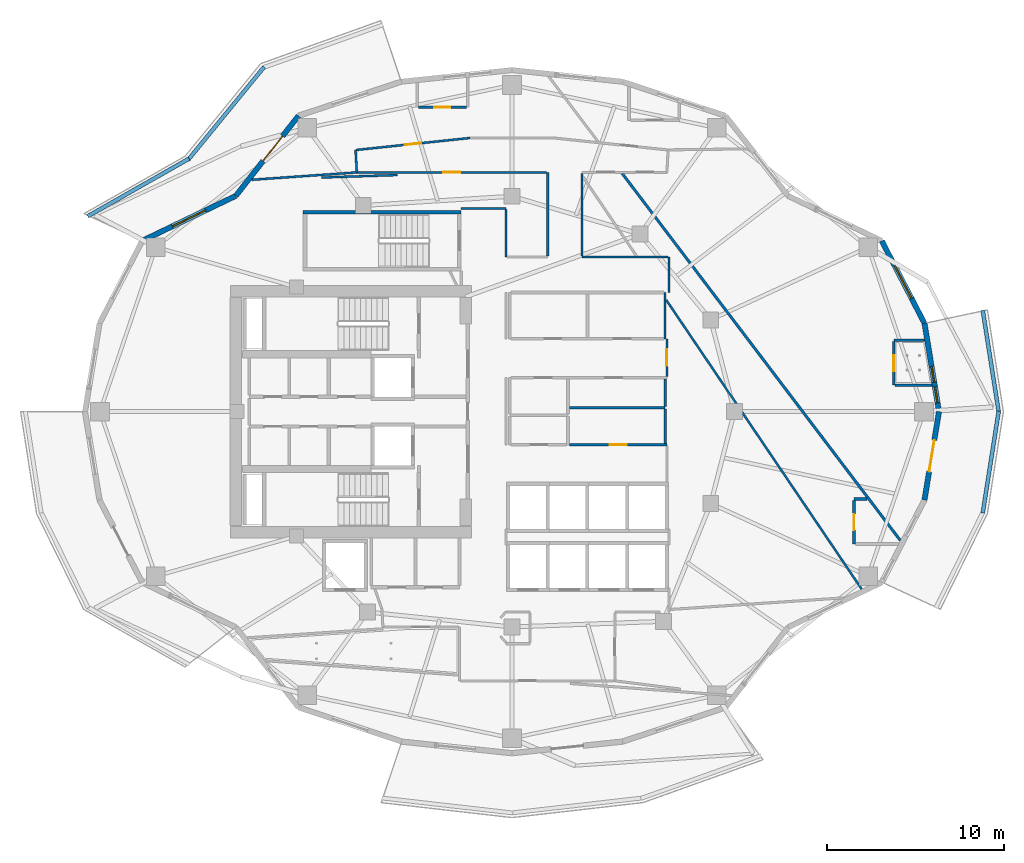
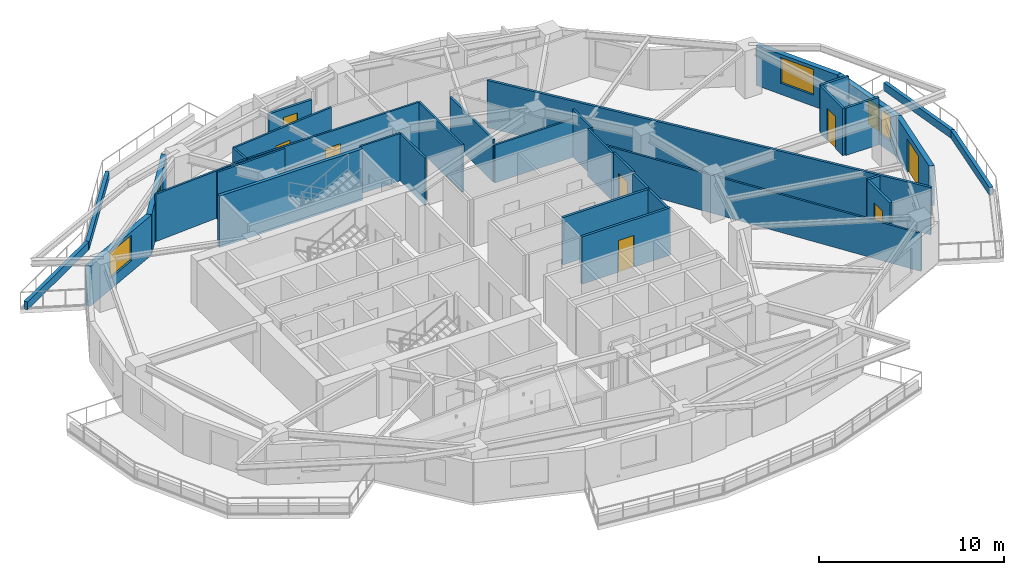
# One storey, part 6 of 17: 35 walls, 9 doors, 4 windows, 13 openings.
"""IFC4 building model written with IfcOpenShell, lengths in metres."""

from ifc_helpers import new_model, si_unit, direction, frame, frame_2d, origin, place, context, subcontext, project, spatial, rectangle, extrude, material, layer, layer_set, type_object, element, fill, save


model = new_model("IFC4")

# Units and contexts
model_context = context("Model", 3, precision=1e-05, world=origin(), true_north=direction((0.0, 1.0)))
body_context = subcontext(model_context, "Body", "Model", "MODEL_VIEW")
ifc_project = project(units=[si_unit("LENGTHUNIT", "METRE"), si_unit("AREAUNIT", "SQUARE_METRE"), si_unit("VOLUMEUNIT", "CUBIC_METRE"), si_unit("PLANEANGLEUNIT", "RADIAN"), si_unit("MASSUNIT", "GRAM", prefix="KILO")], contexts=[model_context])

# Site, building, storey
site_placement = place(None, origin())
site = spatial("IfcSite", under=ifc_project, at=site_placement, CompositionType="ELEMENT")
building_placement = place(site_placement, origin())
building = spatial("IfcBuilding", under=site, at=building_placement, Name="Kolvaren Gate Tower and Convention Centre", CompositionType="ELEMENT")
storey_placement = place(building_placement, frame((0.0, 0.0, 125.699951171875)))
storey = spatial("IfcBuildingStorey", under=building, at=storey_placement, Name="L31", CompositionType="ELEMENT", Elevation=125.699951171875)

# Walls
ifc_material_1 = material(Name="Fire-Rated Acoustic Gypsum Stud Partition", Category="gypsum")
ifc_layer_1 = layer(ifc_material_1, 0.1201171875)
ifc_layer_set_1 = layer_set([ifc_layer_1], Name="Fire-Rated Acoustic Gypsum Stud Partition")
wall_type_1 = type_object("IfcWallType", Name="ARCH-WL-PART-120", PredefinedType="PARTITIONING", material=ifc_layer_set_1)
wall_1_placement = place(storey_placement, frame((38.800048828125, 31.1201171875, 0.0), z_axis=(0.0, 0.0, 1.0), x_axis=(0.0, 1.0, 0.0)))
element("IfcWall", 1, at=wall_1_placement, inside=storey, type_object=wall_type_1, Name="Interior Partition WL-L31-INT-025", PredefinedType="PARTITIONING", context=body_context, shape_type="SweptSolid", body=[
    extrude(rectangle(XDim=2.6298828125, YDim=0.1201171875, at=frame_2d((1.31494140625, 0.0))), origin(), (0.0, 0.0, 1.0), 3.130126953125),
])
wall_2_placement = place(storey_placement, frame((39.02001953125, 33.75, 0.0), z_axis=(0.0, 0.0, 1.0), x_axis=(0.0, 1.0, 0.0)))
element("IfcWall", 2, at=wall_2_placement, inside=storey, type_object=wall_type_1, Name="Interior Partition WL-L31-INT-030", PredefinedType="PARTITIONING", context=body_context, shape_type="SweptSolid", body=[
    extrude(rectangle(XDim=2.0, YDim=0.1201171875, at=frame_2d((1.0, 0.0))), origin(), (0.0, 0.0, 1.0), 3.130126953125),
])
wall_3_placement = place(storey_placement, frame((21.263916015625, 41.81787109375, 0.0), z_axis=(0.0, 0.0, 1.0), x_axis=(0.0574492264, -0.99834842935, 0.0)))
element("IfcWall", 3, at=wall_3_placement, inside=storey, type_object=wall_type_1, Name="Interior Partition WL-L31-INT-036", PredefinedType="PARTITIONING", context=body_context, shape_type="SweptSolid", body=[
    extrude(rectangle(XDim=1.270751953125, YDim=0.1201171875, at=frame_2d((0.63525390625, 0.0))), origin(), (0.0, 0.0, 1.0), 3.130126953125),
])
wall_4_placement = place(storey_placement, frame((27.25, 38.5, 0.0), z_axis=(0.0, 0.0, 1.0), x_axis=(1.0, 0.0, 0.0)))
element("IfcWall", 4, at=wall_4_placement, inside=storey, type_object=wall_type_1, Name="Interior Partition WL-L31-INT-040", PredefinedType="PARTITIONING", context=body_context, shape_type="SweptSolid", body=[
    extrude(rectangle(XDim=2.530029296875, YDim=0.1201171875, at=frame_2d((1.26513671875, 0.0))), origin(), (0.0, 0.0, 1.0), 3.130126953125),
])
wall_5_placement = place(storey_placement, frame((29.780029296875, 35.75, 0.0), z_axis=(0.0, 0.0, 1.0), x_axis=(0.0, 1.0, 0.0)))
element("IfcWall", 5, at=wall_5_placement, inside=storey, type_object=wall_type_1, Name="Interior Partition WL-L31-INT-044", PredefinedType="PARTITIONING", context=body_context, shape_type="SweptSolid", body=[
    extrude(rectangle(XDim=2.68798828125, YDim=0.1201171875, at=frame_2d((1.343994140625, 0.0))), origin(), (0.0, 0.0, 1.0), 3.130126953125),
])
wall_6_placement = place(storey_placement, frame((34.080078125, 35.75, 0.0), z_axis=(0.0, 0.0, 1.0), x_axis=(1.0, 0.0, 0.0)))
element("IfcWall", 6, at=wall_6_placement, inside=storey, type_object=wall_type_1, Name="Interior Partition WL-L31-INT-046", PredefinedType="PARTITIONING", context=body_context, shape_type="SweptSolid", body=[
    extrude(rectangle(XDim=4.8779296875, YDim=0.1201171875, at=frame_2d((2.43896484375, 0.0))), origin(), (0.0, 0.0, 1.0), 2.505126953125),
])
wall_7_placement = place(storey_placement, frame((32.14990234375, 35.81201171875, 0.0), z_axis=(0.0, 0.0, 1.0), x_axis=(0.0, 1.0, 0.0)))
element("IfcWall", 7, at=wall_7_placement, inside=storey, type_object=wall_type_1, Name="Interior Partition WL-L31-INT-047", PredefinedType="PARTITIONING", context=body_context, shape_type="SweptSolid", body=[
    extrude(rectangle(XDim=4.738037109375, YDim=0.1201171875, at=frame_2d((2.369140625, 0.0))), origin(), (0.0, 0.0, 1.0), 3.130126953125),
])

# Wall, opening, door
wall_8_placement = place(storey_placement, frame((21.3505859375, 40.550048828125, 0.0), z_axis=(0.0, 0.0, 1.0), x_axis=(1.0, 0.0, 0.0)))
wall_8 = element("IfcWall", 8, at=wall_8_placement, inside=storey, type_object=wall_type_1, Name="Interior Partition WL-L31-INT-048", PredefinedType="PARTITIONING", context=body_context, shape_type="SweptSolid", body=[
    extrude(rectangle(XDim=10.7373046875, YDim=0.1201171875, at=frame_2d((5.36865234375, 0.0))), origin(), (0.0, 0.0, 1.0), 3.130126953125),
])
opening_1_placement = place(wall_8_placement, frame((4.893798828125, 0.0, 0.0)))
opening_1 = element("IfcOpeningElement", 9, at=opening_1_placement, cuts=wall_8, Name="Opening DR-01", PredefinedType="OPENING", context=body_context, shape_type="SweptSolid", body=[
    extrude(rectangle(XDim=0.949951171875, YDim=2.10009765625, at=frame_2d((0.47509765625, 1.050048828125))), frame((0.0, 0.070068359375, 0.0), z_axis=(0.0, -1.0, 0.0), x_axis=(1.0, 0.0, 0.0)), (0.0, 0.0, 1.0), 0.14013671875),
])
ifc_material_2 = material(Name="Painted Architectural Steelwork ASTM A500 Grade C 345 MPa", Category="steel")
door_type_1 = type_object("IfcDoorType", Name="ARCH-DR-RISER-950", OperationType="SINGLE_SWING_RIGHT", PredefinedType="DOOR", material=ifc_material_2)
door_1_placement = place(opening_1_placement, origin())
door_1 = element("IfcDoor", 10, at=door_1_placement, inside=storey, type_object=door_type_1, Name="Hotel Botanical Clubroom Door", OperationType="SINGLE_SWING_RIGHT", OverallHeight=2.10009765625, OverallWidth=0.949951171875, PredefinedType="DOOR", context=body_context, shape_type="SweptSolid", body=[
    extrude(rectangle(XDim=0.949951171875, YDim=2.10009765625, at=frame_2d((0.47509765625, 1.050048828125))), frame((0.0, 0.02490234375, 0.0), z_axis=(0.0, -1.0, 0.0), x_axis=(1.0, 0.0, 0.0)), (0.0, 0.0, 1.0), 0.050048828125),
])
fill(opening_1, door_1)

wall_9_placement = place(storey_placement, frame((21.282958984375, 41.819091796875, 0.0), z_axis=(0.0, 0.0, 1.0), x_axis=(0.994501131299, 0.104725831799, 0.0)))
wall_9 = element("IfcWall", 11, at=wall_9_placement, inside=storey, type_object=wall_type_1, Name="Interior Partition WL-L31-INT-050", PredefinedType="PARTITIONING", context=body_context, shape_type="SweptSolid", body=[
    extrude(rectangle(XDim=6.501708984375, YDim=0.1201171875, at=frame_2d((3.2509765625, 0.0))), origin(), (0.0, 0.0, 1.0), 3.130126953125),
])
opening_2_placement = place(wall_9_placement, frame((2.77587890625, 0.0, 0.0)))
opening_2 = element("IfcOpeningElement", 12, at=opening_2_placement, cuts=wall_9, Name="Opening DR-01", PredefinedType="OPENING", context=body_context, shape_type="SweptSolid", body=[
    extrude(rectangle(XDim=0.949951171875, YDim=2.10009765625, at=frame_2d((0.47509765625, 1.050048828125))), frame((0.0, 0.070068359375, 0.0), z_axis=(0.0, -1.0, 0.0), x_axis=(1.0, 0.0, 0.0)), (0.0, 0.0, 1.0), 0.14013671875),
])
door_2_placement = place(opening_2_placement, origin())
door_2 = element("IfcDoor", 13, at=door_2_placement, inside=storey, type_object=door_type_1, Name="Hotel Guest Room (HTL-L31-08) Door", OperationType="SINGLE_SWING_LEFT", OverallHeight=2.10009765625, OverallWidth=0.949951171875, PredefinedType="DOOR", context=body_context, shape_type="SweptSolid", body=[
    extrude(rectangle(XDim=0.949951171875, YDim=2.10009765625, at=frame_2d((0.47509765625, 1.050048828125))), frame((0.0, 0.02490234375, 0.0), z_axis=(0.0, -1.0, 0.0), x_axis=(1.0, 0.0, 0.0)), (0.0, 0.0, 1.0), 0.050048828125),
])
fill(opening_2, door_2)

# Wall
wall_10_placement = place(storey_placement, frame((34.080078125, 35.81201171875, 0.0), z_axis=(0.0, 0.0, 1.0), x_axis=(0.0, 1.0, 0.0)))
element("IfcWall", 14, at=wall_10_placement, inside=storey, type_object=wall_type_1, Name="Interior Partition WL-L31-INT-054", PredefinedType="PARTITIONING", context=body_context, shape_type="SweptSolid", body=[
    extrude(rectangle(XDim=4.676025390625, YDim=0.1201171875, at=frame_2d((2.337890625, 0.0))), origin(), (0.0, 0.0, 1.0), 2.81201171875),
])

# Wall, opening, door
wall_11_placement = place(storey_placement, frame((38.89990234375, 28.9970703125, 0.0), z_axis=(0.0, 0.0, 1.0), x_axis=(0.0, 1.0, 0.0)))
wall_11 = element("IfcWall", 15, at=wall_11_placement, inside=storey, type_object=wall_type_1, Name="Interior Partition WL-L31-INT-056", PredefinedType="PARTITIONING", context=body_context, shape_type="SweptSolid", body=[
    extrude(rectangle(XDim=2.123046875, YDim=0.1201171875, at=frame_2d((1.0615234375, 0.0))), origin(), (0.0, 0.0, 1.0), 3.130126953125),
])
opening_3_placement = place(wall_11_placement, frame((0.58642578125, 0.0, 0.0)))
opening_3 = element("IfcOpeningElement", 16, at=opening_3_placement, cuts=wall_11, Name="Opening DR-01", PredefinedType="OPENING", context=body_context, shape_type="SweptSolid", body=[
    extrude(rectangle(XDim=0.949951171875, YDim=2.10009765625, at=frame_2d((0.47509765625, 1.050048828125))), frame((0.0, 0.070068359375, 0.0), z_axis=(0.0, -1.0, 0.0), x_axis=(1.0, 0.0, 0.0)), (0.0, 0.0, 1.0), 0.14013671875),
])
door_3_placement = place(opening_3_placement, origin())
door_3 = element("IfcDoor", 17, at=door_3_placement, inside=storey, type_object=door_type_1, Name="Executive Seminar Conference Room Door", OperationType="SINGLE_SWING_LEFT", OverallHeight=2.10009765625, OverallWidth=0.949951171875, PredefinedType="DOOR", context=body_context, shape_type="SweptSolid", body=[
    extrude(rectangle(XDim=0.949951171875, YDim=2.10009765625, at=frame_2d((0.47509765625, 1.050048828125))), frame((0.0, 0.02490234375, 0.0), z_axis=(0.0, -1.0, 0.0), x_axis=(1.0, 0.0, 0.0)), (0.0, 0.0, 1.0), 0.050048828125),
])
fill(opening_3, door_3)

# Walls
wall_12_placement = place(storey_placement, frame((38.862060546875, 33.32421875, 0.0), z_axis=(0.0, 0.0, 1.0), x_axis=(0.55994174094, -0.828531982939, 0.0)))
element("IfcWall", 18, at=wall_12_placement, inside=storey, type_object=wall_type_1, Name="Interior Partition WL-L31-INT-067", PredefinedType="PARTITIONING", context=body_context, shape_type="SweptSolid", body=[
    extrude(rectangle(XDim=19.768310546875, YDim=0.1201171875, at=frame_2d((9.88427734375, 0.0))), origin(), (0.0, 0.0, 1.0), 2.505126953125),
])
wall_13_placement = place(storey_placement, frame((15.385009765625, 40.130859375, 0.0), z_axis=(0.0, 0.0, 1.0), x_axis=(0.997539949975, 0.070100272499, 0.0)))
element("IfcWall", 19, at=wall_13_placement, inside=storey, type_object=wall_type_1, Name="Interior Partition WL-L31-INT-082", PredefinedType="PARTITIONING", context=body_context, shape_type="SweptSolid", body=[
    extrude(rectangle(XDim=5.976318359375, YDim=0.1201171875, at=frame_2d((2.98828125, 0.0))), origin(), (0.0, 0.0, 1.0), 3.130126953125),
])
wall_14_placement = place(storey_placement, frame((19.33349609375, 40.2578125, 0.0), z_axis=(0.0, 0.0, 1.0), x_axis=(0.999452515211, 0.033085795111, 0.0)))
element("IfcWall", 20, at=wall_14_placement, inside=storey, type_object=wall_type_1, Name="Interior Partition WL-L31-INT-083", PredefinedType="PARTITIONING", context=body_context, shape_type="SweptSolid", body=[
    extrude(rectangle(XDim=4.294677734375, YDim=0.1201171875, at=frame_2d((2.1474609375, 0.0))), origin(), (0.0, 0.0, 1.0), 3.130126953125),
])
ifc_material_3 = material(Name="Piedmont Cream Honed Limestone Cladding", Category="masonry")
ifc_layer_2 = layer(ifc_material_3, 0.219970703125)
ifc_layer_set_2 = layer_set([ifc_layer_2], Name="Piedmont Cream Honed Limestone Cladding")
wall_type_2 = type_object("IfcWallType", Name="ARCH-WL-PLANTER-220", PredefinedType="PARAPET", material=ifc_layer_set_2)
wall_15_placement = place(storey_placement, frame((11.791015625, 41.274169921875, 0.0), z_axis=(0.0, 0.0, 1.0), x_axis=(0.633024046468, 0.774132131224, 0.0)))
element("IfcWall", 21, at=wall_15_placement, inside=storey, type_object=wall_type_2, Name="Vertical-Forest Balcony Stone Planter Kerb PK-L31-1.2", PredefinedType="PARAPET", context=body_context, shape_type="SweptSolid", body=[
    extrude(rectangle(XDim=6.780517578125, YDim=0.219970703125, at=frame_2d((3.39013671875, 0.0))), origin(), (0.0, 0.0, 1.0), 0.52001953125),
])
wall_16_placement = place(storey_placement, frame((6.095458984375, 38.065673828125, 0.0), z_axis=(0.0, 0.0, 1.0), x_axis=(0.869187658335, 0.494482370361, 0.0)))
element("IfcWall", 22, at=wall_16_placement, inside=storey, type_object=wall_type_2, Name="Vertical-Forest Balcony Stone Planter Kerb PK-L31-1.3", PredefinedType="PARAPET", context=body_context, shape_type="SweptSolid", body=[
    extrude(rectangle(XDim=6.606201171875, YDim=0.219970703125, at=frame_2d((3.30322265625, 0.0))), origin(), (0.0, 0.0, 1.0), 0.52001953125),
])
for number, where, z_axis, x_axis, name in (
    (23, (56.78857421875, 21.254150390625, 0.0), (0.0, 0.0, 1.0), (0.154903030247, 0.987929679289, 0.0), "Vertical-Forest Balcony Stone Planter Kerb PK-L31-4.2"),
    (24, (56.78857421875, 32.745849609375, 0.0), (0.0, 0.0, 1.0), (0.154903030247, -0.987929679289, 0.0), "Vertical-Forest Balcony Stone Planter Kerb PK-L31-4.3"),
):
    element("IfcWall", number, at=place(storey_placement, frame(where, z_axis=z_axis, x_axis=x_axis)), inside=storey, type_object=wall_type_2, Name=name, PredefinedType="PARAPET", context=body_context, shape_type="SweptSolid", body=[
        extrude(rectangle(XDim=5.845703125, YDim=0.219970703125, at=frame_2d((2.9228515625, 0.0))), origin(), (0.0, 0.0, 1.0), 0.52001953125),
    ])

# Wall, openings, windows
ifc_layer_3 = layer(ifc_material_3, 0.300048828125)
ifc_layer_set_3 = layer_set([ifc_layer_3], Name="Piedmont Cream Honed Limestone Cladding")
wall_type_3 = type_object("IfcWallType", Name="ARCH-WL-STONE-300", PredefinedType="SOLIDWALL", material=ifc_layer_set_3)
wall_17_placement = place(storey_placement, frame((53.48828125, 32.008056640625, 0.0), z_axis=(0.0, 0.0, 1.0), x_axis=(0.162393944769, -0.986726003864, 0.0)))
wall_17 = element("IfcWall", 25, at=wall_17_placement, inside=storey, type_object=wall_type_3, Name="Tower L31 Honed Stone Spandrel Wall EW-00", PredefinedType="SOLIDWALL", context=body_context, shape_type="SweptSolid", body=[
    extrude(rectangle(XDim=5.075439453125, YDim=0.300048828125, at=frame_2d((2.53759765625, 0.0))), origin(), (0.0, 0.0, 1.0), 2.653076171875),
])
opening_4_placement = place(wall_17_placement, frame((2.489990234375, 0.0, 0.719970703125)))
opening_4 = element("IfcOpeningElement", 26, at=opening_4_placement, cuts=wall_17, Name="Opening W-06", PredefinedType="OPENING", context=body_context, shape_type="SweptSolid", body=[
    extrude(rectangle(XDim=0.89990234375, YDim=1.64990234375, at=frame_2d((0.449951171875, 0.824951171875))), frame((0.0, 0.159912109375, 0.0), z_axis=(0.0, -1.0, 0.0), x_axis=(1.0, 0.0, 0.0)), (0.0, 0.0, 1.0), 0.320068359375),
])
opening_5_placement = place(wall_17_placement, frame((3.660400390625, 0.0, 0.719970703125)))
opening_5 = element("IfcOpeningElement", 27, at=opening_5_placement, cuts=wall_17, Name="Opening W-06", PredefinedType="OPENING", context=body_context, shape_type="SweptSolid", body=[
    extrude(rectangle(XDim=0.89990234375, YDim=1.64990234375, at=frame_2d((0.449951171875, 0.824951171875))), frame((0.0, 0.159912109375, 0.0), z_axis=(0.0, -1.0, 0.0), x_axis=(1.0, 0.0, 0.0)), (0.0, 0.0, 1.0), 0.320068359375),
])
ifc_material_4 = material(Name="Low-E Triple Insulated Glazing Unit 44 mm", Category="glass")
window_type_1 = type_object("IfcWindowType", Name="ARCH-WN-PUNCH-900", PartitioningType="SINGLE_PANEL", PredefinedType="WINDOW", material=ifc_material_4)
window_1_placement = place(opening_4_placement, origin())
window_1 = element("IfcWindow", 28, at=window_1_placement, inside=storey, type_object=window_type_1, Name="Tower L31 Punched Stone Facade Window W-00", OverallHeight=1.64990234375, OverallWidth=0.89990234375, PartitioningType="SINGLE_PANEL", PredefinedType="WINDOW", context=body_context, shape_type="SweptSolid", body=[
    extrude(rectangle(XDim=0.89990234375, YDim=1.64990234375, at=frame_2d((0.449951171875, 0.824951171875))), frame((0.0, 0.030029296875, 0.0), z_axis=(0.0, -1.0, 0.0), x_axis=(1.0, 0.0, 0.0)), (0.0, 0.0, 1.0), 0.06005859375),
])
fill(opening_4, window_1)
window_2_placement = place(opening_5_placement, origin())
window_2 = element("IfcWindow", 29, at=window_2_placement, inside=storey, type_object=window_type_1, Name="Tower L31 Punched Stone Facade Window W-00B", OverallHeight=1.64990234375, OverallWidth=0.89990234375, PartitioningType="SINGLE_PANEL", PredefinedType="WINDOW", context=body_context, shape_type="SweptSolid", body=[
    extrude(rectangle(XDim=0.89990234375, YDim=1.64990234375, at=frame_2d((0.449951171875, 0.824951171875))), frame((0.0, 0.030029296875, 0.0), z_axis=(0.0, -1.0, 0.0), x_axis=(1.0, 0.0, 0.0)), (0.0, 0.0, 1.0), 0.06005859375),
])
fill(opening_5, window_2)

# Wall, opening, window
wall_18_placement = place(storey_placement, frame((51.072021484375, 36.675048828125, 0.0), z_axis=(0.0, 0.0, 1.0), x_axis=(0.459767899643, -0.888039119892, 0.0)))
wall_18 = element("IfcWall", 30, at=wall_18_placement, inside=storey, type_object=wall_type_3, Name="Tower L31 Honed Stone Spandrel Wall EW-01", PredefinedType="SOLIDWALL", context=body_context, shape_type="SweptSolid", body=[
    extrude(rectangle(XDim=5.25537109375, YDim=0.300048828125, at=frame_2d((2.627685546875, 0.0))), origin(), (0.0, 0.0, 1.0), 2.653076171875),
])
opening_6_placement = place(wall_18_placement, frame((1.577880859375, 0.0, 0.739990234375)))
opening_6 = element("IfcOpeningElement", 31, at=opening_6_placement, cuts=wall_18, Name="Opening W-02", PredefinedType="OPENING", context=body_context, shape_type="SweptSolid", body=[
    extrude(rectangle(XDim=2.10009765625, YDim=1.699951171875, at=frame_2d((1.050048828125, 0.85009765625))), frame((0.0, 0.159912109375, 0.0), z_axis=(0.0, -1.0, 0.0), x_axis=(1.0, 0.0, 0.0)), (0.0, 0.0, 1.0), 0.320068359375),
])
window_type_2 = type_object("IfcWindowType", Name="ARCH-WN-HTL-2100", PartitioningType="SINGLE_PANEL", PredefinedType="WINDOW", material=ifc_material_4)
window_3_placement = place(opening_6_placement, origin())
window_3 = element("IfcWindow", 32, at=window_3_placement, inside=storey, type_object=window_type_2, Name="Tower L31 Punched Stone Facade Window W-01", OverallHeight=1.699951171875, OverallWidth=2.10009765625, PartitioningType="SINGLE_PANEL", PredefinedType="WINDOW", context=body_context, shape_type="SweptSolid", body=[
    extrude(rectangle(XDim=2.10009765625, YDim=1.699951171875, at=frame_2d((1.050048828125, 0.85009765625))), frame((0.0, 0.030029296875, 0.0), z_axis=(0.0, -1.0, 0.0), x_axis=(1.0, 0.0, 0.0)), (0.0, 0.0, 1.0), 0.06005859375),
])
fill(opening_6, window_3)

# Wall, opening, door
wall_19_placement = place(storey_placement, frame((14.481201171875, 39.222900390625, 0.0), z_axis=(0.0, 0.0, 1.0), x_axis=(0.616435134162, 0.787405693001, 0.0)))
wall_19 = element("IfcWall", 33, at=wall_19_placement, inside=storey, type_object=wall_type_3, Name="Tower L31 Honed Stone Spandrel Wall EW-08", PredefinedType="SOLIDWALL", context=body_context, shape_type="SweptSolid", body=[
    extrude(rectangle(XDim=5.759033203125, YDim=0.300048828125, at=frame_2d((2.87939453125, 0.0))), origin(), (0.0, 0.0, 1.0), 2.653076171875),
])
opening_7_placement = place(wall_19_placement, frame((2.5, 0.0, 0.0)))
opening_7 = element("IfcOpeningElement", 34, at=opening_7_placement, cuts=wall_19, Name="Opening DB-01", PredefinedType="OPENING", context=body_context, shape_type="SweptSolid", body=[
    extrude(rectangle(XDim=1.800048828125, YDim=2.25, at=frame_2d((0.89990234375, 1.125))), frame((0.0, 0.159912109375, 0.0), z_axis=(0.0, -1.0, 0.0), x_axis=(1.0, 0.0, 0.0)), (0.0, 0.0, 1.0), 0.320068359375),
])
ifc_material_5 = material(Name="Anodized Architectural Aluminium Alloy 6063-T6", Category="aluminium")
door_type_2 = type_object("IfcDoorType", Name="ARCH-DR-BALC-1800", OperationType="SLIDING_TO_LEFT", PredefinedType="DOOR", material=ifc_material_5)
door_4_placement = place(opening_7_placement, origin())
door_4 = element("IfcDoor", 35, at=door_4_placement, inside=storey, type_object=door_type_2, Name="Planted Sky Terrace Access Door DB-L31-08", OperationType="SLIDING_TO_LEFT", OverallHeight=2.25, OverallWidth=1.800048828125, PredefinedType="DOOR", context=body_context, shape_type="SweptSolid", body=[
    extrude(rectangle(XDim=1.800048828125, YDim=2.25, at=frame_2d((0.89990234375, 1.125))), frame((0.0, 0.02490234375, 0.0), z_axis=(0.0, -1.0, 0.0), x_axis=(1.0, 0.0, 0.0)), (0.0, 0.0, 1.0), 0.050048828125),
])
fill(opening_7, door_4)

# Wall, opening, window
wall_20_placement = place(storey_placement, frame((9.177978515625, 36.675048828125, 0.0), z_axis=(0.0, 0.0, 1.0), x_axis=(0.901370184739, 0.433049408339, 0.0)))
wall_20 = element("IfcWall", 36, at=wall_20_placement, inside=storey, type_object=wall_type_3, Name="Tower L31 Honed Stone Spandrel Wall EW-09", PredefinedType="SOLIDWALL", context=body_context, shape_type="SweptSolid", body=[
    extrude(rectangle(XDim=5.883544921875, YDim=0.300048828125, at=frame_2d((2.94189453125, 0.0))), origin(), (0.0, 0.0, 1.0), 2.653076171875),
])
opening_8_placement = place(wall_20_placement, frame((1.89208984375, 0.0, 0.739990234375)))
opening_8 = element("IfcOpeningElement", 37, at=opening_8_placement, cuts=wall_20, Name="Opening W-02", PredefinedType="OPENING", context=body_context, shape_type="SweptSolid", body=[
    extrude(rectangle(XDim=2.10009765625, YDim=1.699951171875, at=frame_2d((1.050048828125, 0.85009765625))), frame((0.0, 0.159912109375, 0.0), z_axis=(0.0, -1.0, 0.0), x_axis=(1.0, 0.0, 0.0)), (0.0, 0.0, 1.0), 0.320068359375),
])
window_4_placement = place(opening_8_placement, origin())
window_4 = element("IfcWindow", 38, at=window_4_placement, inside=storey, type_object=window_type_2, Name="Tower L31 Punched Stone Facade Window W-09", OverallHeight=1.699951171875, OverallWidth=2.10009765625, PartitioningType="SINGLE_PANEL", PredefinedType="WINDOW", context=body_context, shape_type="SweptSolid", body=[
    extrude(rectangle(XDim=2.10009765625, YDim=1.699951171875, at=frame_2d((1.050048828125, 0.85009765625))), frame((0.0, 0.030029296875, 0.0), z_axis=(0.0, -1.0, 0.0), x_axis=(1.0, 0.0, 0.0)), (0.0, 0.0, 1.0), 0.06005859375),
])
fill(opening_8, window_4)

# Wall, opening, door
wall_21_placement = place(storey_placement, frame((53.48828125, 21.991943359375, 0.0), z_axis=(0.0, 0.0, 1.0), x_axis=(0.162393944769, 0.986726003864, 0.0)))
wall_21 = element("IfcWall", 39, at=wall_21_placement, inside=storey, type_object=wall_type_3, Name="Tower L31 Honed Stone Spandrel Wall EW-23", PredefinedType="SOLIDWALL", context=body_context, shape_type="SweptSolid", body=[
    extrude(rectangle(XDim=5.075439453125, YDim=0.300048828125, at=frame_2d((2.53759765625, 0.0))), origin(), (0.0, 0.0, 1.0), 2.653076171875),
])
opening_9_placement = place(wall_21_placement, frame((1.637939453125, 0.0, 0.0)))
opening_9 = element("IfcOpeningElement", 40, at=opening_9_placement, cuts=wall_21, Name="Opening DB-01", PredefinedType="OPENING", context=body_context, shape_type="SweptSolid", body=[
    extrude(rectangle(XDim=1.800048828125, YDim=2.25, at=frame_2d((0.89990234375, 1.125))), frame((0.0, 0.159912109375, 0.0), z_axis=(0.0, -1.0, 0.0), x_axis=(1.0, 0.0, 0.0)), (0.0, 0.0, 1.0), 0.320068359375),
])
door_5_placement = place(opening_9_placement, frame((1.800048828125, 0.0, 0.0), z_axis=(0.0, 0.0, 1.0), x_axis=(-1.0, 0.0, 0.0)))
door_5 = element("IfcDoor", 41, at=door_5_placement, inside=storey, type_object=door_type_2, Name="Planted Sky Terrace Access Door DB-L31-23", OperationType="SLIDING_TO_LEFT", OverallHeight=2.25, OverallWidth=1.800048828125, PredefinedType="DOOR", context=body_context, shape_type="SweptSolid", body=[
    extrude(rectangle(XDim=1.800048828125, YDim=2.25, at=frame_2d((0.89990234375, 1.125))), frame((0.0, 0.02490234375, 0.0), z_axis=(0.0, -1.0, 0.0), x_axis=(1.0, 0.0, 0.0)), (0.0, 0.0, 1.0), 0.050048828125),
])
fill(opening_9, door_5)

ifc_material_6 = material(Name="Moisture-Resistant Cement-Board Acoustic Partition", Category="gypsum")
ifc_layer_4 = layer(ifc_material_6, 0.14990234375)
ifc_layer_set_4 = layer_set([ifc_layer_4], Name="Moisture-Resistant Cement-Board Acoustic Partition")
wall_type_4 = type_object("IfcWallType", Name="ARCH-WL-WET-150", PredefinedType="PARTITIONING", material=ifc_layer_set_4)
wall_22_placement = place(storey_placement, frame((33.376953125, 25.1201171875, 0.0), z_axis=(0.0, 0.0, 1.0), x_axis=(1.0, 0.0, 0.0)))
wall_22 = element("IfcWall", 42, at=wall_22_placement, inside=storey, type_object=wall_type_4, Name="Interior Partition WL-L31-INT-022 (2)", PredefinedType="PARTITIONING", context=body_context, shape_type="SweptSolid", body=[
    extrude(rectangle(XDim=5.52294921875, YDim=0.14990234375, at=frame_2d((2.761474609375, 0.0))), origin(), (0.0, 0.0, 1.0), 3.130126953125),
])
opening_10_placement = place(wall_22_placement, frame((2.28662109375, 0.0, 0.0)))
opening_10 = element("IfcOpeningElement", 43, at=opening_10_placement, cuts=wall_22, Name="Opening DR-01", PredefinedType="OPENING", context=body_context, shape_type="SweptSolid", body=[
    extrude(rectangle(XDim=0.949951171875, YDim=2.10009765625, at=frame_2d((0.47509765625, 1.050048828125))), frame((0.0, 0.0849609375, 0.0), z_axis=(0.0, -1.0, 0.0), x_axis=(1.0, 0.0, 0.0)), (0.0, 0.0, 1.0), 0.169921875),
])
door_6_placement = place(opening_10_placement, origin())
door_6 = element("IfcDoor", 44, at=door_6_placement, inside=storey, type_object=door_type_1, Name="Floor Coffee Pantry Door", OperationType="SINGLE_SWING_LEFT", OverallHeight=2.10009765625, OverallWidth=0.949951171875, PredefinedType="DOOR", context=body_context, shape_type="SweptSolid", body=[
    extrude(rectangle(XDim=0.949951171875, YDim=2.10009765625, at=frame_2d((0.47509765625, 1.050048828125))), frame((0.0, 0.02490234375, 0.0), z_axis=(0.0, -1.0, 0.0), x_axis=(1.0, 0.0, 0.0)), (0.0, 0.0, 1.0), 0.050048828125),
])
fill(opening_10, door_6)

# Walls
wall_23_placement = place(storey_placement, frame((33.376953125, 27.219970703125, 0.0), z_axis=(0.0, 0.0, 1.0), x_axis=(1.0, 0.0, 0.0)))
element("IfcWall", 45, at=wall_23_placement, inside=storey, type_object=wall_type_4, Name="Interior Partition WL-L31-INT-023", PredefinedType="PARTITIONING", context=body_context, shape_type="SweptSolid", body=[
    extrude(rectangle(XDim=5.423095703125, YDim=0.14990234375, at=frame_2d((2.71142578125, 0.0))), origin(), (0.0, 0.0, 1.0), 3.130126953125),
])
wall_24_placement = place(storey_placement, frame((38.800048828125, 25.197021484375, 0.0), z_axis=(0.0, 0.0, 1.0), x_axis=(0.0, 1.0, 0.0)))
element("IfcWall", 46, at=wall_24_placement, inside=storey, type_object=wall_type_4, Name="Interior Partition WL-L31-INT-024", PredefinedType="PARTITIONING", context=body_context, shape_type="SweptSolid", body=[
    extrude(rectangle(XDim=1.946044921875, YDim=0.14990234375, at=frame_2d((0.97314453125, 0.0))), origin(), (0.0, 0.0, 1.0), 3.130126953125),
])
wall_25_placement = place(storey_placement, frame((38.800048828125, 27.297119140625, 0.0), z_axis=(0.0, 0.0, 1.0), x_axis=(0.0, 1.0, 0.0)))
element("IfcWall", 47, at=wall_25_placement, inside=storey, type_object=wall_type_4, Name="Interior Partition WL-L31-INT-024 (2)", PredefinedType="PARTITIONING", context=body_context, shape_type="SweptSolid", body=[
    extrude(rectangle(XDim=1.5458984375, YDim=0.14990234375, at=frame_2d((0.77294921875, 0.0))), origin(), (0.0, 0.0, 1.0), 3.130126953125),
])
wall_26_placement = place(storey_placement, frame((36.367919921875, 40.488037109375, 0.0), z_axis=(0.0, 0.0, 1.0), x_axis=(0.604016753865, -0.796971618723, 0.0)))
element("IfcWall", 48, at=wall_26_placement, inside=storey, type_object=wall_type_4, Name="Interior Partition WL-L31-INT-069", PredefinedType="PARTITIONING", context=body_context, shape_type="SweptSolid", body=[
    extrude(rectangle(XDim=26.09130859375, YDim=0.14990234375, at=frame_2d((13.045654296875, 0.0))), origin(), (0.0, 0.0, 1.0), 3.130126953125),
])
wall_27_placement = place(storey_placement, frame((49.5, 22.050048828125, 0.0), z_axis=(0.0, 0.0, 1.0), x_axis=(1.0, 0.0, 0.0)))
element("IfcWall", 49, at=wall_27_placement, inside=storey, type_object=wall_type_4, Name="Interior Partition WL-L31-INT-070", PredefinedType="PARTITIONING", context=body_context, shape_type="SweptSolid", body=[
    extrude(rectangle(XDim=0.745361328125, YDim=0.14990234375, at=frame_2d((0.37255859375, 0.0))), origin(), (0.0, 0.0, 1.0), 3.130126953125),
])

# Wall, opening, door
wall_28_placement = place(storey_placement, frame((49.5, 19.5, 0.0), z_axis=(0.0, 0.0, 1.0), x_axis=(0.0, 1.0, 0.0)))
wall_28 = element("IfcWall", 50, at=wall_28_placement, inside=storey, type_object=wall_type_4, Name="Interior Partition WL-L31-INT-071", PredefinedType="PARTITIONING", context=body_context, shape_type="SweptSolid", body=[
    extrude(rectangle(XDim=2.472900390625, YDim=0.14990234375, at=frame_2d((1.236328125, 0.0))), origin(), (0.0, 0.0, 1.0), 3.130126953125),
])
opening_11_placement = place(wall_28_placement, frame((0.78662109375, 0.0, 0.0)))
opening_11 = element("IfcOpeningElement", 51, at=opening_11_placement, cuts=wall_28, Name="Opening DW-01", PredefinedType="OPENING", context=body_context, shape_type="SweptSolid", body=[
    extrude(rectangle(XDim=0.89990234375, YDim=2.10009765625, at=frame_2d((0.449951171875, 1.050048828125))), frame((0.0, 0.0849609375, 0.0), z_axis=(0.0, -1.0, 0.0), x_axis=(1.0, 0.0, 0.0)), (0.0, 0.0, 1.0), 0.169921875),
])
ifc_material_7 = material(Name="FSC Andean Oak Engineered Veneer Door Leaf", Category="wood")
door_type_3 = type_object("IfcDoorType", Name="ARCH-DR-WC-900", OperationType="SINGLE_SWING_RIGHT", PredefinedType="DOOR", material=ifc_material_7)
door_7_placement = place(opening_11_placement, origin())
door_7 = element("IfcDoor", 52, at=door_7_placement, inside=storey, type_object=door_type_3, Name="En-suite Bathroom (HTL-L31-05) Door", OperationType="SINGLE_SWING_LEFT", OverallHeight=2.10009765625, OverallWidth=0.89990234375, PredefinedType="DOOR", context=body_context, shape_type="SweptSolid", body=[
    extrude(rectangle(XDim=0.89990234375, YDim=2.10009765625, at=frame_2d((0.449951171875, 1.050048828125))), frame((0.0, 0.02490234375, 0.0), z_axis=(0.0, -1.0, 0.0), x_axis=(1.0, 0.0, 0.0)), (0.0, 0.0, 1.0), 0.050048828125),
])
fill(opening_11, door_7)

# Wall
wall_29_placement = place(storey_placement, frame((51.75, 31.050048828125, 0.0), z_axis=(0.0, 0.0, 1.0), x_axis=(1.0, 0.0, 0.0)))
element("IfcWall", 53, at=wall_29_placement, inside=storey, type_object=wall_type_4, Name="Interior Partition WL-L31-INT-074", PredefinedType="PARTITIONING", context=body_context, shape_type="SweptSolid", body=[
    extrude(rectangle(XDim=1.741943359375, YDim=0.14990234375, at=frame_2d((0.87109375, 0.0))), origin(), (0.0, 0.0, 1.0), 3.130126953125),
])

# Wall, opening, door
wall_30_placement = place(storey_placement, frame((51.75, 28.5, 0.0), z_axis=(0.0, 0.0, 1.0), x_axis=(0.0, 1.0, 0.0)))
wall_30 = element("IfcWall", 54, at=wall_30_placement, inside=storey, type_object=wall_type_4, Name="Interior Partition WL-L31-INT-075", PredefinedType="PARTITIONING", context=body_context, shape_type="SweptSolid", body=[
    extrude(rectangle(XDim=2.472900390625, YDim=0.14990234375, at=frame_2d((1.236328125, 0.0))), origin(), (0.0, 0.0, 1.0), 3.130126953125),
])
opening_12_placement = place(wall_30_placement, frame((0.78662109375, 0.0, 0.0)))
opening_12 = element("IfcOpeningElement", 55, at=opening_12_placement, cuts=wall_30, Name="Opening DW-01", PredefinedType="OPENING", context=body_context, shape_type="SweptSolid", body=[
    extrude(rectangle(XDim=0.89990234375, YDim=2.10009765625, at=frame_2d((0.449951171875, 1.050048828125))), frame((0.0, 0.0849609375, 0.0), z_axis=(0.0, -1.0, 0.0), x_axis=(1.0, 0.0, 0.0)), (0.0, 0.0, 1.0), 0.169921875),
])
door_8_placement = place(opening_12_placement, origin())
door_8 = element("IfcDoor", 56, at=door_8_placement, inside=storey, type_object=door_type_3, Name="En-suite Bathroom (HTL-L31-06) Door", OperationType="SINGLE_SWING_RIGHT", OverallHeight=2.10009765625, OverallWidth=0.89990234375, PredefinedType="DOOR", context=body_context, shape_type="SweptSolid", body=[
    extrude(rectangle(XDim=0.89990234375, YDim=2.10009765625, at=frame_2d((0.449951171875, 1.050048828125))), frame((0.0, 0.02490234375, 0.0), z_axis=(0.0, -1.0, 0.0), x_axis=(1.0, 0.0, 0.0)), (0.0, 0.0, 1.0), 0.050048828125),
])
fill(opening_12, door_8)

# Wall
wall_31_placement = place(storey_placement, frame((51.826904296875, 28.5, 0.0), z_axis=(0.0, 0.0, 1.0), x_axis=(1.0, 0.0, 0.0)))
element("IfcWall", 57, at=wall_31_placement, inside=storey, type_object=wall_type_4, Name="Interior Partition WL-L31-INT-076", PredefinedType="PARTITIONING", context=body_context, shape_type="SweptSolid", body=[
    extrude(rectangle(XDim=2.084716796875, YDim=0.14990234375, at=frame_2d((1.04248046875, 0.0))), origin(), (0.0, 0.0, 1.0), 3.130126953125),
])

# Wall, opening, door
wall_32_placement = place(storey_placement, frame((24.826904296875, 44.25, 0.0), z_axis=(0.0, 0.0, 1.0), x_axis=(1.0, 0.0, 0.0)))
wall_32 = element("IfcWall", 58, at=wall_32_placement, inside=storey, type_object=wall_type_4, Name="Interior Partition WL-L31-INT-081", PredefinedType="PARTITIONING", context=body_context, shape_type="SweptSolid", body=[
    extrude(rectangle(XDim=2.716064453125, YDim=0.14990234375, at=frame_2d((1.35791015625, 0.0))), origin(), (0.0, 0.0, 1.0), 2.653076171875),
])
opening_13_placement = place(wall_32_placement, frame((0.907958984375, 0.0, 0.0)))
opening_13 = element("IfcOpeningElement", 59, at=opening_13_placement, cuts=wall_32, Name="Opening DW-01", PredefinedType="OPENING", context=body_context, shape_type="SweptSolid", body=[
    extrude(rectangle(XDim=0.89990234375, YDim=2.10009765625, at=frame_2d((0.449951171875, 1.050048828125))), frame((0.0, 0.0849609375, 0.0), z_axis=(0.0, -1.0, 0.0), x_axis=(1.0, 0.0, 0.0)), (0.0, 0.0, 1.0), 0.169921875),
])
door_9_placement = place(opening_13_placement, origin())
door_9 = element("IfcDoor", 60, at=door_9_placement, inside=storey, type_object=door_type_3, Name="En-suite Bathroom (HTL-L31-08) Door", OperationType="SINGLE_SWING_RIGHT", OverallHeight=2.10009765625, OverallWidth=0.89990234375, PredefinedType="DOOR", context=body_context, shape_type="SweptSolid", body=[
    extrude(rectangle(XDim=0.89990234375, YDim=2.10009765625, at=frame_2d((0.449951171875, 1.050048828125))), frame((0.0, 0.02490234375, 0.0), z_axis=(0.0, -1.0, 0.0), x_axis=(1.0, 0.0, 0.0)), (0.0, 0.0, 1.0), 0.050048828125),
])
fill(opening_13, door_9)

# Wall
ifc_material_8 = material(Name="Concrete C50/60", Category="concrete")
ifc_layer_5 = layer(ifc_material_8, 0.199951171875)
ifc_layer_set_5 = layer_set([ifc_layer_5], Name="Concrete C50/60")
wall_type_5 = type_object("IfcWallType", Name="STR-WL-SHAFT-200", PredefinedType="SHEAR", material=ifc_layer_set_5)
wall_33_placement = place(storey_placement, frame((18.300048828125, 38.300048828125, -0.27001953125), z_axis=(0.0, 0.0, 1.0), x_axis=(1.0, 0.0, 0.0)))
element("IfcWall", 61, at=wall_33_placement, inside=storey, type_object=wall_type_5, Name="Tower Mid-Zone Exit Stair ST-T3 L31 Structural Shear Enclosure Wall LEFT", PredefinedType="SHEAR", context=body_context, shape_type="SweptSolid", body=[
    extrude(rectangle(XDim=8.949951171875, YDim=0.199951171875, at=frame_2d((4.47509765625, 0.0))), origin(), (0.0, 0.0, 1.0), 3.400146484375),
])

save(model, "model.ifc")
